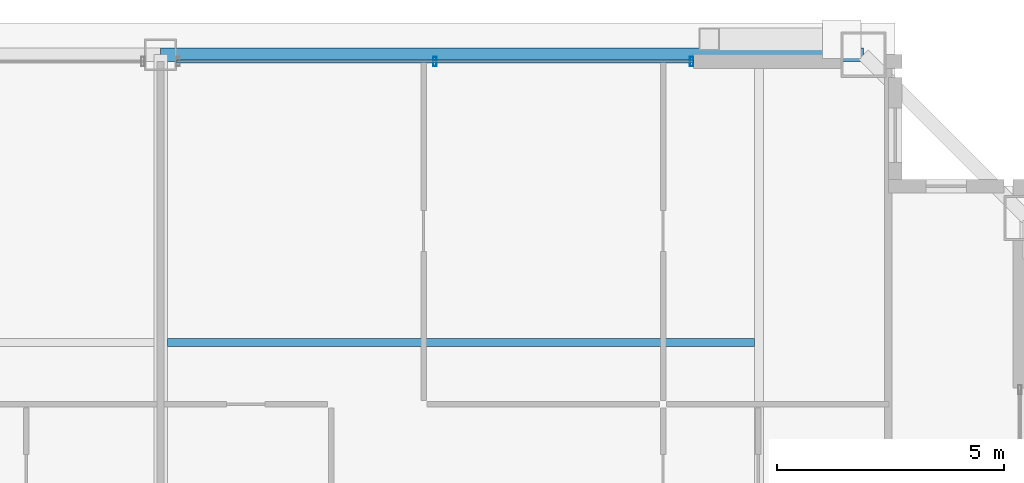
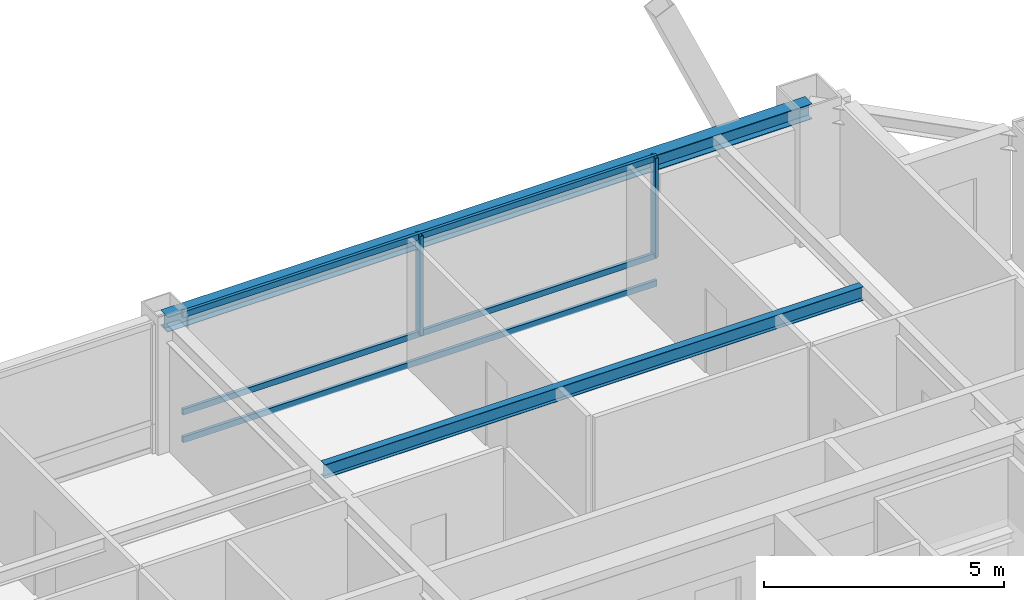
# One storey, part 18 of 35: 5 members, 2 beams, 1 element without a shape of its own.
"""IFC4 building model written with IfcOpenShell, lengths in metres."""

from ifc_helpers import new_model, si_unit, direction, frame, origin, origin_2d, place, context, subcontext, project, spatial, hollow_rectangle, i_section, extrude, source, transform, mapped, material, layer, layer_set, material_profile, profile_set, type_object, element, aggregate, save


model = new_model("IFC4")

# Units and contexts
model_context = context("Model", 3, precision=1e-05, world=origin(), true_north=direction((0.0, 1.0)))
body_context = subcontext(model_context, "Body", "Model", "MODEL_VIEW")
ifc_project = project(units=[si_unit("LENGTHUNIT", "METRE"), si_unit("AREAUNIT", "SQUARE_METRE"), si_unit("VOLUMEUNIT", "CUBIC_METRE"), si_unit("PLANEANGLEUNIT", "RADIAN"), si_unit("MASSUNIT", "GRAM", prefix="KILO"), si_unit("THERMODYNAMICTEMPERATUREUNIT", "KELVIN"), si_unit("POWERUNIT", "WATT")], contexts=[model_context])

# Site, building, storey
site_placement = place(None, origin())
site = spatial("IfcSite", under=ifc_project, at=site_placement, CompositionType="ELEMENT")
building_placement = place(site_placement, origin())
building = spatial("IfcBuilding", under=site, at=building_placement, Name="Yuzanri Waterfront Tower", CompositionType="ELEMENT")
storey_placement = place(building_placement, frame((0.0, 0.0, 314.699951171875)))
storey = spatial("IfcBuildingStorey", under=building, at=storey_placement, Name="L84", CompositionType="ELEMENT", Elevation=314.699951171875)

# Beams
ifc_material_1 = material(Name="Steel Q355B", Category="steel")
ifc_material_profile_1 = material_profile(ifc_material_1, i_section(OverallWidth=0.175048828125, OverallDepth=0.35009765625, WebThickness=0.007080078125, FlangeThickness=0.010986328125, at=origin_2d()), Name="HN 350x175x7x11")
ifc_profile_set_1 = profile_set([ifc_material_profile_1], Name="Steel Q355B")
beam_type_1 = type_object("IfcBeamType", Name="Floor Joist Q355B HN 350x175", PredefinedType="JOIST", material=ifc_profile_set_1)
shared_shape_1 = source(origin(), body_context, "Body", "SweptSolid", [
    extrude(i_section(OverallWidth=0.175048828125, OverallDepth=0.35009765625, WebThickness=0.007080078125, FlangeThickness=0.010986328125, at=origin_2d()), origin(), (0.0, 0.0, 1.0), 12.9501953125),
])
beam_1_placement = place(storey_placement, frame((37.14990234375, 38.550048828125, 3.10498046875), z_axis=(1.0, 0.0, 0.0), x_axis=(0.0, 1.0, 0.0)))
element("IfcBeam", 1, at=beam_1_placement, inside=storey, type_object=beam_type_1, Name="L84 North Bay Joist E", PredefinedType="JOIST", context=body_context, shape_type="MappedRepresentation", body=[
    mapped(shared_shape_1, transform((0.0, 0.0, 0.0), scale=1.0)),
])
ifc_material_2 = material(Name="Steel Q355B", Category="steel")
ifc_material_profile_2 = material_profile(ifc_material_2, i_section(OverallWidth=0.300048828125, OverallDepth=0.389892578125, WebThickness=0.010009765625, FlangeThickness=0.01611328125, at=origin_2d()), Name="HM 390x300x10x16")
ifc_profile_set_2 = profile_set([ifc_material_profile_2], Name="Steel Q355B")
beam_type_2 = type_object("IfcBeamType", Name="Perimeter Spandrel Q355B HM 390x300", PredefinedType="SPANDREL", material=ifc_profile_set_2)
shared_shape_2 = source(origin(), body_context, "Body", "SweptSolid", [
    extrude(i_section(OverallWidth=0.300048828125, OverallDepth=0.389892578125, WebThickness=0.010009765625, FlangeThickness=0.01611328125, at=origin_2d()), origin(), (0.0, 0.0, 1.0), 15.5),
])
beam_2_placement = place(storey_placement, frame((52.5, 44.89990234375, 3.0849609375), z_axis=(-1.0, 0.0, 0.0), x_axis=(0.0, -1.0, 0.0)))
element("IfcBeam", 2, at=beam_2_placement, inside=storey, type_object=beam_type_2, Name="L84 Perimeter Spandrel N3-N2", PredefinedType="SPANDREL", context=body_context, shape_type="MappedRepresentation", body=[
    mapped(shared_shape_2, transform((0.0, 0.0, 0.0), scale=1.0)),
])

# Curtain wall, members
ifc_material_3 = material(Name="Anodized Architectural Bronze", Category="metal")
ifc_layer = layer(ifc_material_3, 0.159912109375)
ifc_layer_set = layer_set([ifc_layer], Name="Anodized Architectural Bronze")
curtain_wall_type = type_object("IfcCurtainWallType", Name="Anodized Bronze High-Rise Penthouse High-Wind Unitized Curtain Wall 6900", PredefinedType="NOTDEFINED", material=ifc_layer_set)
curtain_wall_placement = place(storey_placement, origin())
curtain_wall = element("IfcCurtainWall", 3, at=curtain_wall_placement, inside=storey, type_object=curtain_wall_type, Name="L84 Curtain Wall CW-L84-NR", PredefinedType="NOTDEFINED")
ifc_material_4 = material(Name="Anodized Architectural Bronze", Category="metal")
ifc_material_profile_3 = material_profile(ifc_material_4, hollow_rectangle(XDim=0.074951171875, YDim=0.199951171875, WallThickness=0.00390625, at=origin_2d()), Name="CWM 75x200")
ifc_profile_set_3 = profile_set([ifc_material_profile_3], Name="Anodized Architectural Bronze")
member_type_1 = type_object("IfcMemberType", Name="Anodized Bronze Primary Curtain-Wall Mullion 75x200", PredefinedType="MULLION", material=ifc_profile_set_3)
shared_shape_3 = source(origin(), body_context, "Body", "SweptSolid", [
    extrude(hollow_rectangle(XDim=0.074951171875, YDim=0.199951171875, WallThickness=0.00390625, at=origin_2d()), origin(), (0.0, 0.0, 1.0), 2.52392578125),
])
member_1_placement = place(storey_placement, frame((43.050048828125, 44.75, 0.756103515625), z_axis=(0.0, 0.0, 1.0), x_axis=(1.0, 0.0, 0.0)))
member_1 = element("IfcMember", 4, at=member_1_placement, type_object=member_type_1, Name="CW-L84-NR Upper Mullion 01", PredefinedType="MULLION", context=body_context, shape_type="MappedRepresentation", body=[
    mapped(shared_shape_3, transform((0.0, 0.0, 0.0), scale=1.0)),
])
member_2_placement = place(storey_placement, frame((48.7099609375, 44.75, 0.756103515625), z_axis=(0.0, 0.0, 1.0), x_axis=(1.0, 0.0, 0.0)))
member_2 = element("IfcMember", 5, at=member_2_placement, type_object=member_type_1, Name="CW-L84-NR Upper Mullion 02", PredefinedType="MULLION", context=body_context, shape_type="MappedRepresentation", body=[
    mapped(shared_shape_3, transform((0.0, 0.0, 0.0), scale=1.0)),
])
ifc_material_5 = material(Name="Anodized Architectural Bronze", Category="metal")
ifc_material_profile_4 = material_profile(ifc_material_5, hollow_rectangle(XDim=0.074951171875, YDim=0.14990234375, WallThickness=0.00390625, at=origin_2d()), Name="CWT 75x150")
ifc_profile_set_4 = profile_set([ifc_material_profile_4], Name="Anodized Architectural Bronze")
member_type_2 = type_object("IfcMemberType", Name="Anodized Bronze Primary Curtain-Wall Transom 75x150", PredefinedType="USERDEFINED", material=ifc_profile_set_4)
shared_shape_4 = source(origin(), body_context, "Body", "SweptSolid", [
    extrude(hollow_rectangle(XDim=0.074951171875, YDim=0.14990234375, WallThickness=0.00390625, at=origin_2d()), origin(), (0.0, 0.0, 1.0), 11.39990234375),
])
member_3_placement = place(storey_placement, frame((37.35009765625, 44.75, 0.050048828125), z_axis=(1.0, 0.0, 0.0), x_axis=(0.0, 1.0, 0.0)))
member_3 = element("IfcMember", 6, at=member_3_placement, type_object=member_type_2, Name="CW-L84-NR Transom 1", ObjectType="TRANSOM", PredefinedType="USERDEFINED", context=body_context, shape_type="MappedRepresentation", body=[
    mapped(shared_shape_4, transform((0.0, 0.0, 0.0), scale=1.0)),
])
member_4_placement = place(storey_placement, frame((37.35009765625, 44.75, 0.754150390625), z_axis=(1.0, 0.0, 0.0), x_axis=(0.0, 1.0, 0.0)))
member_4 = element("IfcMember", 7, at=member_4_placement, type_object=member_type_2, Name="CW-L84-NR Transom 2", ObjectType="TRANSOM", PredefinedType="USERDEFINED", context=body_context, shape_type="MappedRepresentation", body=[
    mapped(shared_shape_4, transform((0.0, 0.0, 0.0), scale=1.0)),
])
member_5_placement = place(storey_placement, frame((37.35009765625, 44.75, 3.22998046875), z_axis=(1.0, 0.0, 0.0), x_axis=(0.0, 1.0, 0.0)))
member_5 = element("IfcMember", 8, at=member_5_placement, type_object=member_type_2, Name="CW-L84-NR Transom 3", ObjectType="TRANSOM", PredefinedType="USERDEFINED", context=body_context, shape_type="MappedRepresentation", body=[
    mapped(shared_shape_4, transform((0.0, 0.0, 0.0), scale=1.0)),
])
aggregate(curtain_wall, [member_1, member_2, member_3, member_4, member_5])

save(model, "model.ifc")
